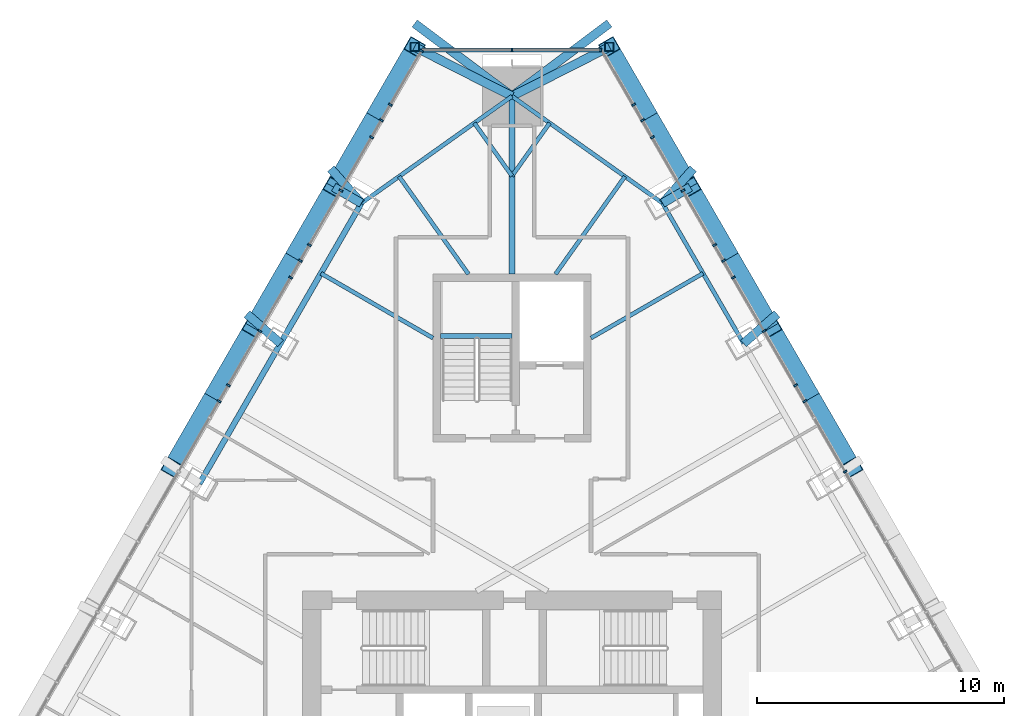
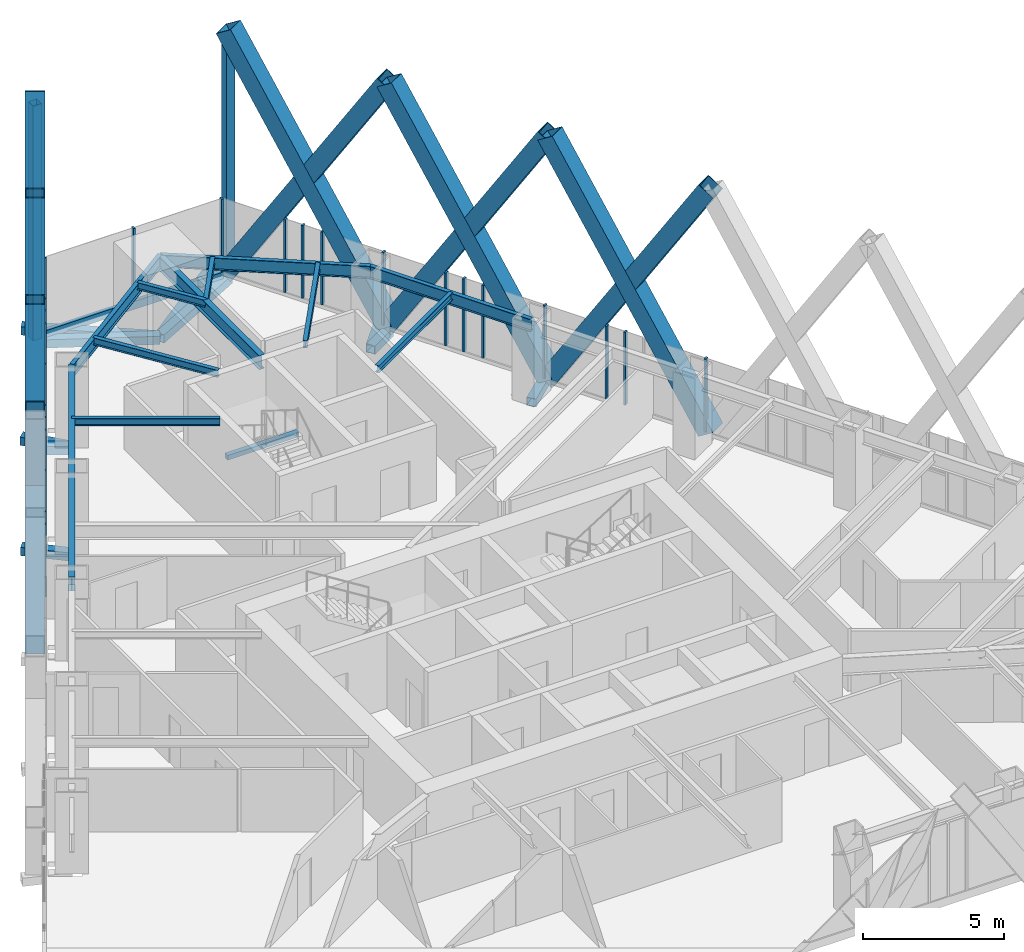
# One storey, part 11 of 25: 49 members, 12 beams, 3 elements without a shape of their own.
"""IFC4 building model written with IfcOpenShell, lengths in metres."""

from ifc_helpers import new_model, si_unit, direction, frame, origin, origin_2d, place, context, subcontext, project, spatial, rectangle, hollow_rectangle, i_section, extrude, material, layer, layer_set, material_profile, profile_set, type_object, element, aggregate, save


model = new_model("IFC4")

# Units and contexts
model_context = context("Model", 3, precision=1e-05, world=origin(), true_north=direction((0.0, 1.0)))
body_context = subcontext(model_context, "Body", "Model", "MODEL_VIEW")
ifc_project = project(units=[si_unit("LENGTHUNIT", "METRE"), si_unit("AREAUNIT", "SQUARE_METRE"), si_unit("VOLUMEUNIT", "CUBIC_METRE"), si_unit("PLANEANGLEUNIT", "RADIAN"), si_unit("MASSUNIT", "GRAM", prefix="KILO")], contexts=[model_context])

# Site, building, storey
site_placement = place(None, origin())
site = spatial("IfcSite", under=ifc_project, at=site_placement, CompositionType="ELEMENT")
building_placement = place(site_placement, origin())
building = spatial("IfcBuilding", under=site, at=building_placement, Name="Firuza Gate Tower and Library", CompositionType="ELEMENT")
storey_placement = place(building_placement, frame((0.0, 0.0, 270.60009765625)))
storey = spatial("IfcBuildingStorey", under=building, at=storey_placement, Name="L64", CompositionType="ELEMENT", Elevation=270.60009765625)

# Members
ifc_material_1 = material(Name="Steel S355", Category="steel")
ifc_material_profile_1 = material_profile(ifc_material_1, hollow_rectangle(XDim=0.699951171875, YDim=0.699951171875, WallThickness=0.030029296875, at=origin_2d()))
ifc_profile_set_1 = profile_set([ifc_material_profile_1], Name="Steel S355")
member_type_1 = type_object("IfcMemberType", Name="BU700x700x30 Lattice brace", PredefinedType="BRACE", material=ifc_profile_set_1)
for number, where, z_axis, x_axis, name in (
    (1, (88.79443359375, 86.754638671875, 0.0), (-0.265084898364, 0.459137453369, 0.847893151036), (-0.86602396135, -0.500002498361, 0.0), "Lattice brace E 16.5R"),
    (2, (85.51171875, 92.4404296875, 0.0), (0.265084898364, -0.459137453369, 0.847893151036), (0.86602396135, 0.500002498361, 0.0), "Lattice brace E 16.5L"),
    (3, (85.51171875, 92.4404296875, 0.0), (-0.265084898364, 0.459137453369, 0.847893151036), (-0.86602396135, -0.500002498361, 0.0), "Lattice brace E 16.6R"),
    (4, (82.22900390625, 98.126220703125, 0.0), (0.265084898364, -0.459137453369, 0.847893151036), (0.86602396135, 0.500002498361, 0.0), "Lattice brace E 16.6L"),
    (5, (82.22900390625, 98.126220703125, 0.0), (-0.265084898364, 0.459137453369, 0.847893151036), (-0.86602396135, -0.500002498361, 0.0), "Lattice brace E 16.7R"),
    (6, (78.9462890625, 103.81201171875, 0.0), (0.265084898364, -0.459137453369, 0.847893151036), (0.86602396135, 0.500002498361, 0.0), "Lattice brace E 16.7L"),
    (7, (71.0537109375, 103.81201171875, 0.0), (-0.265084898364, -0.459137453369, 0.847893151036), (0.86602396135, -0.500002498361, 0.0), "Lattice brace W 16.1R"),
    (8, (67.77099609375, 98.126220703125, 0.0), (0.265084898364, 0.459137453369, 0.847893151036), (-0.86602396135, 0.500002498361, 0.0), "Lattice brace W 16.1L"),
    (9, (67.77099609375, 98.126220703125, 0.0), (-0.265084898364, -0.459137453369, 0.847893151036), (0.86602396135, -0.500002498361, 0.0), "Lattice brace W 16.2R"),
    (10, (64.48828125, 92.4404296875, 0.0), (0.265084898364, 0.459137453369, 0.847893151036), (-0.86602396135, 0.500002498361, 0.0), "Lattice brace W 16.2L"),
    (11, (64.48828125, 92.4404296875, 0.0), (-0.265084898364, -0.459137453369, 0.847893151036), (0.86602396135, -0.500002498361, 0.0), "Lattice brace W 16.3R"),
    (12, (61.20556640625, 86.754638671875, 0.0), (0.265084898364, 0.459137453369, 0.847893151036), (-0.86602396135, 0.500002498361, 0.0), "Lattice brace W 16.3L"),
):
    element("IfcMember", number, at=place(storey_placement, frame(where, z_axis=z_axis, x_axis=x_axis)), inside=storey, type_object=member_type_1, Name=name, PredefinedType="BRACE", context=body_context, shape_type="SweptSolid", body=[
        extrude(hollow_rectangle(XDim=0.699951171875, YDim=0.699951171875, WallThickness=0.030029296875, at=origin_2d()), origin(), (0.0, 0.0, 1.0), 12.383544921875),
    ])

# Curtain wall, members
ifc_material_2 = material(Name="Aluminium 6063-T6", Category="aluminium")
ifc_layer_1 = layer(ifc_material_2, 0.14990234375)
ifc_layer_set_1 = layer_set([ifc_layer_1], Name="Unitised curtain wall, residences")
curtain_wall_type_1 = type_object("IfcCurtainWallType", Name="Unitised curtain wall, residences", PredefinedType="NOTDEFINED", material=ifc_layer_set_1)
placement = place(storey_placement, origin())
curtain_wall_1 = element("IfcCurtainWall", 13, at=placement, inside=storey, type_object=curtain_wall_type_1, Name="CW3 L64 E face", PredefinedType="NOTDEFINED")
ifc_material_3 = material(Name="Aluminium 6063-T6", Category="aluminium")
ifc_material_profile_2 = material_profile(ifc_material_3, rectangle(XDim=0.14990234375, YDim=0.080078125, at=origin_2d()))
ifc_profile_set_2 = profile_set([ifc_material_profile_2], Name="Aluminium 6063-T6")
member_type_2 = type_object("IfcMemberType", Name="Curtain wall mullion 80x150", PredefinedType="MULLION", material=ifc_profile_set_2)
member_1_placement = place(storey_placement, frame((88.509765625, 86.59765625, 0.14990234375), z_axis=(0.0, 0.0, 1.0), x_axis=(-0.866025403784, -0.5, 0.0)))
member_1 = element("IfcMember", 14, at=member_1_placement, type_object=member_type_2, Name="Mullion", PredefinedType="MULLION", context=body_context, shape_type="SweptSolid", body=[
    extrude(rectangle(XDim=0.14990234375, YDim=0.080078125, at=origin_2d()), origin(), (0.0, 0.0, 1.0), 3.14990234375),
])
member_2_placement = place(storey_placement, frame((86.865478515625, 89.44580078125, 0.14990234375), z_axis=(0.0, 0.0, 1.0), x_axis=(-0.866025403784, -0.5, 0.0)))
member_2 = element("IfcMember", 15, at=member_2_placement, type_object=member_type_2, Name="Mullion", PredefinedType="MULLION", context=body_context, shape_type="SweptSolid", body=[
    extrude(rectangle(XDim=0.14990234375, YDim=0.080078125, at=origin_2d()), origin(), (0.0, 0.0, 1.0), 3.14990234375),
])
member_3_placement = place(storey_placement, frame((85.220947265625, 92.2939453125, 0.14990234375), z_axis=(0.0, 0.0, 1.0), x_axis=(-0.866025403784, -0.5, 0.0)))
member_3 = element("IfcMember", 16, at=member_3_placement, type_object=member_type_2, Name="Mullion", PredefinedType="MULLION", context=body_context, shape_type="SweptSolid", body=[
    extrude(rectangle(XDim=0.14990234375, YDim=0.080078125, at=origin_2d()), origin(), (0.0, 0.0, 1.0), 3.14990234375),
])
member_4_placement = place(storey_placement, frame((83.57666015625, 95.142333984375, 0.14990234375), z_axis=(0.0, 0.0, 1.0), x_axis=(-0.866025403784, -0.5, 0.0)))
member_4 = element("IfcMember", 17, at=member_4_placement, type_object=member_type_2, Name="Mullion", PredefinedType="MULLION", context=body_context, shape_type="SweptSolid", body=[
    extrude(rectangle(XDim=0.14990234375, YDim=0.080078125, at=origin_2d()), origin(), (0.0, 0.0, 1.0), 3.14990234375),
])
member_5_placement = place(storey_placement, frame((81.93212890625, 97.990478515625, 0.14990234375), z_axis=(0.0, 0.0, 1.0), x_axis=(-0.866025403784, -0.5, 0.0)))
member_5 = element("IfcMember", 18, at=member_5_placement, type_object=member_type_2, Name="Mullion", PredefinedType="MULLION", context=body_context, shape_type="SweptSolid", body=[
    extrude(rectangle(XDim=0.14990234375, YDim=0.080078125, at=origin_2d()), origin(), (0.0, 0.0, 1.0), 3.14990234375),
])
member_6_placement = place(storey_placement, frame((80.287841796875, 100.838623046875, 0.14990234375), z_axis=(0.0, 0.0, 1.0), x_axis=(-0.866025403784, -0.5, 0.0)))
member_6 = element("IfcMember", 19, at=member_6_placement, type_object=member_type_2, Name="Mullion", PredefinedType="MULLION", context=body_context, shape_type="SweptSolid", body=[
    extrude(rectangle(XDim=0.14990234375, YDim=0.080078125, at=origin_2d()), origin(), (0.0, 0.0, 1.0), 3.14990234375),
])
member_7_placement = place(storey_placement, frame((86.490966796875, 90.094482421875, 0.14990234375), z_axis=(0.0, 0.0, 1.0), x_axis=(-0.866025403784, -0.5, 0.0)))
member_7 = element("IfcMember", 20, at=member_7_placement, type_object=member_type_2, Name="Mullion", PredefinedType="MULLION", context=body_context, shape_type="SweptSolid", body=[
    extrude(rectangle(XDim=0.14990234375, YDim=0.080078125, at=origin_2d()), origin(), (0.0, 0.0, 1.0), 3.14990234375),
])
member_8_placement = place(storey_placement, frame((83.9697265625, 94.46142578125, 0.14990234375), z_axis=(0.0, 0.0, 1.0), x_axis=(-0.866025403784, -0.5, 0.0)))
member_8 = element("IfcMember", 21, at=member_8_placement, type_object=member_type_2, Name="Mullion", PredefinedType="MULLION", context=body_context, shape_type="SweptSolid", body=[
    extrude(rectangle(XDim=0.14990234375, YDim=0.080078125, at=origin_2d()), origin(), (0.0, 0.0, 1.0), 3.14990234375),
])
member_9_placement = place(storey_placement, frame((83.208251953125, 95.7802734375, 0.14990234375), z_axis=(0.0, 0.0, 1.0), x_axis=(-0.866025403784, -0.5, 0.0)))
member_9 = element("IfcMember", 22, at=member_9_placement, type_object=member_type_2, Name="Mullion", PredefinedType="MULLION", context=body_context, shape_type="SweptSolid", body=[
    extrude(rectangle(XDim=0.14990234375, YDim=0.080078125, at=origin_2d()), origin(), (0.0, 0.0, 1.0), 3.14990234375),
])
member_10_placement = place(storey_placement, frame((80.68701171875, 100.147216796875, 0.14990234375), z_axis=(0.0, 0.0, 1.0), x_axis=(-0.866025403784, -0.5, 0.0)))
member_10 = element("IfcMember", 23, at=member_10_placement, type_object=member_type_2, Name="Mullion", PredefinedType="MULLION", context=body_context, shape_type="SweptSolid", body=[
    extrude(rectangle(XDim=0.14990234375, YDim=0.080078125, at=origin_2d()), origin(), (0.0, 0.0, 1.0), 3.14990234375),
])
member_11_placement = place(storey_placement, frame((79.925537109375, 101.466064453125, 0.14990234375), z_axis=(0.0, 0.0, 1.0), x_axis=(-0.866025403784, -0.5, 0.0)))
member_11 = element("IfcMember", 24, at=member_11_placement, type_object=member_type_2, Name="Mullion", PredefinedType="MULLION", context=body_context, shape_type="SweptSolid", body=[
    extrude(rectangle(XDim=0.14990234375, YDim=0.080078125, at=origin_2d()), origin(), (0.0, 0.0, 1.0), 3.14990234375),
])
aggregate(curtain_wall_1, [member_1, member_2, member_3, member_4, member_5, member_6, member_7, member_8, member_9, member_10, member_11])

ifc_material_4 = material(Name="Aluminium 6063-T6", Category="aluminium")
ifc_layer_2 = layer(ifc_material_4, 0.14990234375)
ifc_layer_set_2 = layer_set([ifc_layer_2], Name="Corner curtain wall, chamfers")
curtain_wall_type_2 = type_object("IfcCurtainWallType", Name="Corner curtain wall, chamfers", PredefinedType="NOTDEFINED", material=ifc_layer_set_2)
curtain_wall_2 = element("IfcCurtainWall", 25, at=placement, inside=storey, type_object=curtain_wall_type_2, Name="CW4 L64 N corner", PredefinedType="NOTDEFINED")
member_12_placement = place(storey_placement, frame((78.603271484375, 103.68701171875, 0.14990234375), z_axis=(0.0, 0.0, 1.0), x_axis=(0.0, -1.0, 0.0)))
member_12 = element("IfcMember", 26, at=member_12_placement, type_object=member_type_2, Name="Mullion", PredefinedType="MULLION", context=body_context, shape_type="SweptSolid", body=[
    extrude(rectangle(XDim=0.14990234375, YDim=0.080078125, at=origin_2d()), origin(), (0.0, 0.0, 1.0), 3.14990234375),
])
member_13_placement = place(storey_placement, frame((75.0, 103.68701171875, 0.14990234375), z_axis=(0.0, 0.0, 1.0), x_axis=(0.0, -1.0, 0.0)))
member_13 = element("IfcMember", 27, at=member_13_placement, type_object=member_type_2, Name="Mullion", PredefinedType="MULLION", context=body_context, shape_type="SweptSolid", body=[
    extrude(rectangle(XDim=0.14990234375, YDim=0.080078125, at=origin_2d()), origin(), (0.0, 0.0, 1.0), 3.14990234375),
])

curtain_wall_3 = element("IfcCurtainWall", 28, at=placement, inside=storey, type_object=curtain_wall_type_1, Name="CW3 L64 W face", PredefinedType="NOTDEFINED")
member_14_placement = place(storey_placement, frame((71.336669921875, 103.65234375, 0.14990234375), z_axis=(0.0, 0.0, 1.0), x_axis=(0.866025403784, -0.5, 0.0)))
member_14 = element("IfcMember", 29, at=member_14_placement, type_object=member_type_2, Name="Mullion", PredefinedType="MULLION", context=body_context, shape_type="SweptSolid", body=[
    extrude(rectangle(XDim=0.14990234375, YDim=0.080078125, at=origin_2d()), origin(), (0.0, 0.0, 1.0), 3.14990234375),
])
member_15_placement = place(storey_placement, frame((69.712158203125, 100.838623046875, 0.14990234375), z_axis=(0.0, 0.0, 1.0), x_axis=(0.866025403784, -0.5, 0.0)))
member_15 = element("IfcMember", 30, at=member_15_placement, type_object=member_type_2, Name="Mullion", PredefinedType="MULLION", context=body_context, shape_type="SweptSolid", body=[
    extrude(rectangle(XDim=0.14990234375, YDim=0.080078125, at=origin_2d()), origin(), (0.0, 0.0, 1.0), 3.14990234375),
])
member_16_placement = place(storey_placement, frame((68.06787109375, 97.990478515625, 0.14990234375), z_axis=(0.0, 0.0, 1.0), x_axis=(0.866025403784, -0.5, 0.0)))
member_16 = element("IfcMember", 31, at=member_16_placement, type_object=member_type_2, Name="Mullion", PredefinedType="MULLION", context=body_context, shape_type="SweptSolid", body=[
    extrude(rectangle(XDim=0.14990234375, YDim=0.080078125, at=origin_2d()), origin(), (0.0, 0.0, 1.0), 3.14990234375),
])
member_17_placement = place(storey_placement, frame((66.42333984375, 95.142333984375, 0.14990234375), z_axis=(0.0, 0.0, 1.0), x_axis=(0.866025403784, -0.5, 0.0)))
member_17 = element("IfcMember", 32, at=member_17_placement, type_object=member_type_2, Name="Mullion", PredefinedType="MULLION", context=body_context, shape_type="SweptSolid", body=[
    extrude(rectangle(XDim=0.14990234375, YDim=0.080078125, at=origin_2d()), origin(), (0.0, 0.0, 1.0), 3.14990234375),
])
member_18_placement = place(storey_placement, frame((64.779052734375, 92.2939453125, 0.14990234375), z_axis=(0.0, 0.0, 1.0), x_axis=(0.866025403784, -0.5, 0.0)))
member_18 = element("IfcMember", 33, at=member_18_placement, type_object=member_type_2, Name="Mullion", PredefinedType="MULLION", context=body_context, shape_type="SweptSolid", body=[
    extrude(rectangle(XDim=0.14990234375, YDim=0.080078125, at=origin_2d()), origin(), (0.0, 0.0, 1.0), 3.14990234375),
])
member_19_placement = place(storey_placement, frame((63.134521484375, 89.44580078125, 0.14990234375), z_axis=(0.0, 0.0, 1.0), x_axis=(0.866025403784, -0.5, 0.0)))
member_19 = element("IfcMember", 34, at=member_19_placement, type_object=member_type_2, Name="Mullion", PredefinedType="MULLION", context=body_context, shape_type="SweptSolid", body=[
    extrude(rectangle(XDim=0.14990234375, YDim=0.080078125, at=origin_2d()), origin(), (0.0, 0.0, 1.0), 3.14990234375),
])
member_20_placement = place(storey_placement, frame((70.074462890625, 101.466064453125, 0.14990234375), z_axis=(0.0, 0.0, 1.0), x_axis=(0.866025403784, -0.5, 0.0)))
member_20 = element("IfcMember", 35, at=member_20_placement, type_object=member_type_2, Name="Mullion", PredefinedType="MULLION", context=body_context, shape_type="SweptSolid", body=[
    extrude(rectangle(XDim=0.14990234375, YDim=0.080078125, at=origin_2d()), origin(), (0.0, 0.0, 1.0), 3.14990234375),
])
member_21_placement = place(storey_placement, frame((69.31298828125, 100.147216796875, 0.14990234375), z_axis=(0.0, 0.0, 1.0), x_axis=(0.866025403784, -0.5, 0.0)))
member_21 = element("IfcMember", 36, at=member_21_placement, type_object=member_type_2, Name="Mullion", PredefinedType="MULLION", context=body_context, shape_type="SweptSolid", body=[
    extrude(rectangle(XDim=0.14990234375, YDim=0.080078125, at=origin_2d()), origin(), (0.0, 0.0, 1.0), 3.14990234375),
])
member_22_placement = place(storey_placement, frame((66.791748046875, 95.7802734375, 0.14990234375), z_axis=(0.0, 0.0, 1.0), x_axis=(0.866025403784, -0.5, 0.0)))
member_22 = element("IfcMember", 37, at=member_22_placement, type_object=member_type_2, Name="Mullion", PredefinedType="MULLION", context=body_context, shape_type="SweptSolid", body=[
    extrude(rectangle(XDim=0.14990234375, YDim=0.080078125, at=origin_2d()), origin(), (0.0, 0.0, 1.0), 3.14990234375),
])
member_23_placement = place(storey_placement, frame((66.0302734375, 94.46142578125, 0.14990234375), z_axis=(0.0, 0.0, 1.0), x_axis=(0.866025403784, -0.5, 0.0)))
member_23 = element("IfcMember", 38, at=member_23_placement, type_object=member_type_2, Name="Mullion", PredefinedType="MULLION", context=body_context, shape_type="SweptSolid", body=[
    extrude(rectangle(XDim=0.14990234375, YDim=0.080078125, at=origin_2d()), origin(), (0.0, 0.0, 1.0), 3.14990234375),
])
member_24_placement = place(storey_placement, frame((63.509033203125, 90.094482421875, 0.14990234375), z_axis=(0.0, 0.0, 1.0), x_axis=(0.866025403784, -0.5, 0.0)))
member_24 = element("IfcMember", 39, at=member_24_placement, type_object=member_type_2, Name="Mullion", PredefinedType="MULLION", context=body_context, shape_type="SweptSolid", body=[
    extrude(rectangle(XDim=0.14990234375, YDim=0.080078125, at=origin_2d()), origin(), (0.0, 0.0, 1.0), 3.14990234375),
])
aggregate(curtain_wall_3, [member_14, member_15, member_16, member_17, member_18, member_19, member_20, member_21, member_22, member_23, member_24])

# Member
ifc_material_5 = material(Name="Aluminium 6063-T6", Category="aluminium")
ifc_material_profile_3 = material_profile(ifc_material_5, rectangle(XDim=0.14990234375, YDim=0.35009765625, at=origin_2d()))
ifc_profile_set_3 = profile_set([ifc_material_profile_3], Name="Aluminium 6063-T6")
member_type_3 = type_object("IfcMemberType", Name="Curtain wall transom 350x150", PredefinedType="USERDEFINED", material=ifc_profile_set_3)
member_25_placement = place(storey_placement, frame((78.643310546875, 103.68701171875, -0.025146484375), z_axis=(-1.0, 0.0, 0.0), x_axis=(0.0, -1.0, 0.0)))
member_25 = element("IfcMember", 40, at=member_25_placement, type_object=member_type_3, Name="Transom", ObjectType="TRANSOM", PredefinedType="USERDEFINED", context=body_context, shape_type="SweptSolid", body=[
    extrude(rectangle(XDim=0.14990234375, YDim=0.35009765625, at=origin_2d()), origin(), (0.0, 0.0, 1.0), 7.28662109375),
])

aggregate(curtain_wall_2, [member_12, member_13, member_25])

# Members
ifc_material_6 = material(Name="Steel S355", Category="steel")
ifc_material_profile_4 = material_profile(ifc_material_6, hollow_rectangle(XDim=0.355712890625, YDim=0.355712890625, WallThickness=0.014892578125, at=origin_2d()))
ifc_profile_set_4 = profile_set([ifc_material_profile_4], Name="Steel S355")
member_type_4 = type_object("IfcMemberType", Name="HSS356x356x16 Lattice corner stile", PredefinedType="BRACE", material=ifc_profile_set_4)
for number, where, z_axis, x_axis, name in (
    (41, (78.9462890625, 103.81201171875, -0.14013671875), (0.0, 0.0, 1.0), (1.0, 0.0, 0.0), "Lattice corner stile E 16.B"),
    (42, (71.0537109375, 103.81201171875, -0.14013671875), (0.0, 0.0, 1.0), (1.0, 0.0, 0.0), "Lattice corner stile W 16.A"),
):
    element("IfcMember", number, at=place(storey_placement, frame(where, z_axis=z_axis, x_axis=x_axis)), inside=storey, type_object=member_type_4, Name=name, PredefinedType="BRACE", context=body_context, shape_type="SweptSolid", body=[
        extrude(hollow_rectangle(XDim=0.355712890625, YDim=0.355712890625, WallThickness=0.014892578125, at=origin_2d()), origin(), (0.0, 0.0, 1.0), 10.14013671875),
    ])
ifc_material_7 = material(Name="Steel S355", Category="steel")
ifc_material_profile_5 = material_profile(ifc_material_7, hollow_rectangle(XDim=0.355712890625, YDim=0.355712890625, WallThickness=0.014892578125, at=origin_2d()))
ifc_profile_set_5 = profile_set([ifc_material_profile_5], Name="Steel S355")
member_type_5 = type_object("IfcMemberType", Name="HSS356x356x16 Lattice node tie", PredefinedType="BRACE", material=ifc_profile_set_5)
member_26_placement = place(storey_placement, frame((75.0, 101.81201171875, -0.320068359375), z_axis=(0.801116724826, 0.598508139631, 0.0), x_axis=(-0.598508139631, 0.801116724826, 0.0)))
element("IfcMember", 43, at=member_26_placement, inside=storey, type_object=member_type_5, Name="Lattice node tie E L64 391", PredefinedType="BRACE", context=body_context, shape_type="SweptSolid", body=[
    extrude(hollow_rectangle(XDim=0.355712890625, YDim=0.355712890625, WallThickness=0.014892578125, at=origin_2d()), origin(), (0.0, 0.0, 1.0), 4.926025390625),
])
member_27_placement = place(storey_placement, frame((75.0, 101.81201171875, -0.320068359375), z_axis=(0.891985934506, 0.452063151168, 0.0), x_axis=(-0.452063151168, 0.891985934506, 0.0)))
element("IfcMember", 44, at=member_27_placement, inside=storey, type_object=member_type_5, Name="Lattice node tie E L64 392", PredefinedType="BRACE", context=body_context, shape_type="SweptSolid", body=[
    extrude(hollow_rectangle(XDim=0.355712890625, YDim=0.355712890625, WallThickness=0.014892578125, at=origin_2d()), origin(), (0.0, 0.0, 1.0), 4.424072265625),
])
member_28_placement = place(storey_placement, frame((81.103271484375, 97.47607421875, -0.320068359375), z_axis=(0.665239147922, 0.746630347677, 0.0), x_axis=(-0.746630347677, 0.665239147922, 0.0)))
element("IfcMember", 45, at=member_28_placement, inside=storey, type_object=member_type_5, Name="Lattice node tie E L64 393", PredefinedType="BRACE", context=body_context, shape_type="SweptSolid", body=[
    extrude(hollow_rectangle(XDim=0.355712890625, YDim=0.355712890625, WallThickness=0.014892578125, at=origin_2d()), origin(), (0.0, 0.0, 1.0), 1.86865234375),
])
member_29_placement = place(storey_placement, frame((81.103271484375, 97.47607421875, -0.320068359375), z_axis=(0.86595725628, 0.500118016368, 0.0), x_axis=(-0.500118016368, 0.86595725628, 0.0)))
element("IfcMember", 46, at=member_29_placement, inside=storey, type_object=member_type_5, Name="Lattice node tie E L64 394", PredefinedType="BRACE", context=body_context, shape_type="SweptSolid", body=[
    extrude(hollow_rectangle(XDim=0.355712890625, YDim=0.355712890625, WallThickness=0.014892578125, at=origin_2d()), origin(), (0.0, 0.0, 1.0), 1.300048828125),
])
for number, where, z_axis, x_axis, name in (
    (47, (84.385986328125, 91.79052734375, -0.320068359375), (0.752141708643, 0.659001403732, 0.0), (-0.659001403732, 0.752141708643, 0.0), "Lattice node tie E L64 395"),
    (48, (65.614013671875, 91.79052734375, -0.320068359375), (-0.752141708643, 0.659001403732, 0.0), (-0.659001403732, -0.752141708643, 0.0), "Lattice node tie W L64 422"),
):
    element("IfcMember", number, at=place(storey_placement, frame(where, z_axis=z_axis, x_axis=x_axis)), inside=storey, type_object=member_type_5, Name=name, PredefinedType="BRACE", context=body_context, shape_type="SweptSolid", body=[
        extrude(hollow_rectangle(XDim=0.355712890625, YDim=0.355712890625, WallThickness=0.014892578125, at=origin_2d()), origin(), (0.0, 0.0, 1.0), 1.80859375),
    ])
member_30_placement = place(storey_placement, frame((68.896728515625, 97.47607421875, -0.320068359375), z_axis=(-0.665239147922, 0.746630347677, 0.0), x_axis=(-0.746630347677, -0.665239147922, 0.0)))
element("IfcMember", 49, at=member_30_placement, inside=storey, type_object=member_type_5, Name="Lattice node tie W L64 423", PredefinedType="BRACE", context=body_context, shape_type="SweptSolid", body=[
    extrude(hollow_rectangle(XDim=0.355712890625, YDim=0.355712890625, WallThickness=0.014892578125, at=origin_2d()), origin(), (0.0, 0.0, 1.0), 1.86865234375),
])
member_31_placement = place(storey_placement, frame((68.896728515625, 97.47607421875, -0.320068359375), z_axis=(-0.86595725628, 0.500118016368, 0.0), x_axis=(-0.500118016368, -0.86595725628, 0.0)))
element("IfcMember", 50, at=member_31_placement, inside=storey, type_object=member_type_5, Name="Lattice node tie W L64 424", PredefinedType="BRACE", context=body_context, shape_type="SweptSolid", body=[
    extrude(hollow_rectangle(XDim=0.355712890625, YDim=0.355712890625, WallThickness=0.014892578125, at=origin_2d()), origin(), (0.0, 0.0, 1.0), 1.300048828125),
])
member_32_placement = place(storey_placement, frame((75.0, 101.81201171875, -0.320068359375), z_axis=(-0.801116724826, 0.598508139631, 0.0), x_axis=(-0.598508139631, -0.801116724826, 0.0)))
element("IfcMember", 51, at=member_32_placement, inside=storey, type_object=member_type_5, Name="Lattice node tie W L64 425", PredefinedType="BRACE", context=body_context, shape_type="SweptSolid", body=[
    extrude(hollow_rectangle(XDim=0.355712890625, YDim=0.355712890625, WallThickness=0.014892578125, at=origin_2d()), origin(), (0.0, 0.0, 1.0), 4.926025390625),
])
member_33_placement = place(storey_placement, frame((75.0, 101.81201171875, -0.320068359375), z_axis=(-0.891985934506, 0.452063151168, 0.0), x_axis=(-0.452063151168, -0.891985934506, 0.0)))
element("IfcMember", 52, at=member_33_placement, inside=storey, type_object=member_type_5, Name="Lattice node tie W L64 426", PredefinedType="BRACE", context=body_context, shape_type="SweptSolid", body=[
    extrude(hollow_rectangle(XDim=0.355712890625, YDim=0.355712890625, WallThickness=0.014892578125, at=origin_2d()), origin(), (0.0, 0.0, 1.0), 4.424072265625),
])

# Beams
ifc_material_8 = material(Name="Concrete C35/45", Category="concrete")
ifc_material_profile_6 = material_profile(ifc_material_8, rectangle(XDim=0.199951171875, YDim=0.199951171875, at=origin_2d()))
ifc_profile_set_6 = profile_set([ifc_material_profile_6], Name="Concrete C35/45")
beam_type_1 = type_object("IfcBeamType", Name="Stair landing bearer 200x200", PredefinedType="BEAM", material=ifc_profile_set_6)
beam_1_placement = place(storey_placement, frame((75.0, 92.090087890625, 1.449951171875), z_axis=(-1.0, 0.0, 0.0), x_axis=(0.0, -1.0, 0.0)))
element("IfcBeam", 53, at=beam_1_placement, inside=storey, type_object=beam_type_1, Name="Landing bearer L64 stair 3", PredefinedType="BEAM", context=body_context, shape_type="SweptSolid", body=[
    extrude(rectangle(XDim=0.199951171875, YDim=0.199951171875, at=origin_2d()), origin(), (0.0, 0.0, 1.0), 2.89990234375),
])
ifc_material_9 = material(Name="Steel S355", Category="steel")
ifc_material_profile_7 = material_profile(ifc_material_9, i_section(OverallWidth=0.1650390625, OverallDepth=0.31005859375, WebThickness=0.005859375, FlangeThickness=0.009765625, at=origin_2d()))
ifc_profile_set_7 = profile_set([ifc_material_profile_7], Name="Steel S355")
beam_type_2 = type_object("IfcBeamType", Name="W310x39 Floor beam", PredefinedType="JOIST", material=ifc_profile_set_7)
beam_2_placement = place(storey_placement, frame((82.74462890625, 94.63330078125, 3.14501953125), z_axis=(-0.8660329634, -0.499986906133, 0.0), x_axis=(0.499986906133, -0.8660329634, 0.0)))
element("IfcBeam", 54, at=beam_2_placement, inside=storey, type_object=beam_type_2, Name="Floor beam L64 s54", PredefinedType="JOIST", context=body_context, shape_type="SweptSolid", body=[
    extrude(i_section(OverallWidth=0.1650390625, OverallDepth=0.31005859375, WebThickness=0.005859375, FlangeThickness=0.009765625, at=origin_2d()), origin(), (0.0, 0.0, 1.0), 5.247802734375),
])
beam_3_placement = place(storey_placement, frame((79.577392578125, 98.56005859375, 3.14501953125), z_axis=(-0.579149122088, -0.815221622864, 0.0), x_axis=(0.815221622864, -0.579149122088, 0.0)))
element("IfcBeam", 55, at=beam_3_placement, inside=storey, type_object=beam_type_2, Name="Floor beam L64 s60", PredefinedType="JOIST", context=body_context, shape_type="SweptSolid", body=[
    extrude(i_section(OverallWidth=0.1650390625, OverallDepth=0.31005859375, WebThickness=0.005859375, FlangeThickness=0.009765625, at=origin_2d()), origin(), (0.0, 0.0, 1.0), 4.857421875),
])
for number, where, z_axis, x_axis, name in (
    (56, (76.52587890625, 100.72802734375, 3.14501953125), (-0.579132591432, -0.815233366307, 0.0), (0.815233366307, -0.579132591432, 0.0), "Floor beam L64 s61"),
    (57, (73.47412109375, 100.72802734375, 3.14501953125), (0.579132591432, -0.815233366307, 0.0), (0.815233366307, 0.579132591432, 0.0), "Floor beam L64 s70"),
):
    element("IfcBeam", number, at=place(storey_placement, frame(where, z_axis=z_axis, x_axis=x_axis)), inside=storey, type_object=beam_type_2, Name=name, PredefinedType="JOIST", context=body_context, shape_type="SweptSolid", body=[
        extrude(i_section(OverallWidth=0.1650390625, OverallDepth=0.31005859375, WebThickness=0.005859375, FlangeThickness=0.009765625, at=origin_2d()), origin(), (0.0, 0.0, 1.0), 2.634765625),
    ])
beam_4_placement = place(storey_placement, frame((70.422607421875, 98.56005859375, 3.14501953125), z_axis=(0.579149122088, -0.815221622864, 0.0), x_axis=(0.815221622864, 0.579149122088, 0.0)))
element("IfcBeam", 58, at=beam_4_placement, inside=storey, type_object=beam_type_2, Name="Floor beam L64 s71", PredefinedType="JOIST", context=body_context, shape_type="SweptSolid", body=[
    extrude(i_section(OverallWidth=0.1650390625, OverallDepth=0.31005859375, WebThickness=0.005859375, FlangeThickness=0.009765625, at=origin_2d()), origin(), (0.0, 0.0, 1.0), 4.857421875),
])
beam_5_placement = place(storey_placement, frame((67.25537109375, 94.63330078125, 3.14501953125), z_axis=(0.8660329634, -0.499986906133, 0.0), x_axis=(0.499986906133, 0.8660329634, 0.0)))
element("IfcBeam", 59, at=beam_5_placement, inside=storey, type_object=beam_type_2, Name="Floor beam L64 s80", PredefinedType="JOIST", context=body_context, shape_type="SweptSolid", body=[
    extrude(i_section(OverallWidth=0.1650390625, OverallDepth=0.31005859375, WebThickness=0.005859375, FlangeThickness=0.009765625, at=origin_2d()), origin(), (0.0, 0.0, 1.0), 5.247802734375),
])
ifc_material_10 = material(Name="Steel S355", Category="steel")
ifc_material_profile_8 = material_profile(ifc_material_10, i_section(OverallWidth=0.166015625, OverallDepth=0.534912109375, WebThickness=0.01025390625, FlangeThickness=0.0166015625, at=origin_2d()))
ifc_profile_set_8 = profile_set([ifc_material_profile_8], Name="Steel S355")
beam_type_3 = type_object("IfcBeamType", Name="W530x85 Edge beam", PredefinedType="SPANDREL", material=ifc_profile_set_8)
beam_6_placement = place(storey_placement, frame((84.385986328125, 91.79052734375, 3.032470703125), z_axis=(-0.500018600842, 0.866014664317, 0.0), x_axis=(-0.866014664317, -0.500018600842, 0.0)))
element("IfcBeam", 60, at=beam_6_placement, inside=storey, type_object=beam_type_3, Name="Edge beam L64 e54", PredefinedType="SPANDREL", context=body_context, shape_type="SweptSolid", body=[
    extrude(i_section(OverallWidth=0.166015625, OverallDepth=0.534912109375, WebThickness=0.01025390625, FlangeThickness=0.0166015625, at=origin_2d()), origin(), (0.0, 0.0, 1.0), 6.565185546875),
])
for number, where, z_axis, x_axis, name in (
    (61, (81.103271484375, 97.47607421875, 3.032470703125), (-0.815218088907, 0.579154096523, 0.0), (-0.579154096523, -0.815218088907, 0.0), "Edge beam L64 e60"),
    (62, (75.0, 101.81201171875, 3.032470703125), (-0.815218088907, -0.579154096523, 0.0), (0.579154096523, -0.815218088907, 0.0), "Edge beam L64 e70"),
):
    element("IfcBeam", number, at=place(storey_placement, frame(where, z_axis=z_axis, x_axis=x_axis)), inside=storey, type_object=beam_type_3, Name=name, PredefinedType="SPANDREL", context=body_context, shape_type="SweptSolid", body=[
        extrude(i_section(OverallWidth=0.166015625, OverallDepth=0.534912109375, WebThickness=0.01025390625, FlangeThickness=0.0166015625, at=origin_2d()), origin(), (0.0, 0.0, 1.0), 7.486572265625),
    ])
ifc_material_11 = material(Name="Steel S355", Category="steel")
ifc_material_profile_9 = material_profile(ifc_material_11, i_section(OverallWidth=0.22802734375, OverallDepth=0.60302734375, WebThickness=0.010498046875, FlangeThickness=0.014892578125, at=origin_2d()))
ifc_profile_set_9 = profile_set([ifc_material_profile_9], Name="Steel S355")
beam_type_4 = type_object("IfcBeamType", Name="W610x101 Girder", PredefinedType="BEAM", material=ifc_profile_set_9)
beam_7_placement = place(storey_placement, frame((75.0, 101.81201171875, 2.998291015625), z_axis=(0.0, -1.0, 0.0), x_axis=(1.0, 0.0, 0.0)))
element("IfcBeam", 63, at=beam_7_placement, inside=storey, type_object=beam_type_4, Name="Girder L64 gN", PredefinedType="BEAM", context=body_context, shape_type="SweptSolid", body=[
    extrude(i_section(OverallWidth=0.22802734375, OverallDepth=0.60302734375, WebThickness=0.010498046875, FlangeThickness=0.014892578125, at=origin_2d()), origin(), (0.0, 0.0, 1.0), 7.2119140625),
])
ifc_material_12 = material(Name="Steel S355", Category="steel")
ifc_material_profile_10 = material_profile(ifc_material_12, i_section(OverallWidth=0.22900390625, OverallDepth=0.612060546875, WebThickness=0.011962890625, FlangeThickness=0.01953125, at=origin_2d()))
ifc_profile_set_10 = profile_set([ifc_material_profile_10], Name="Steel S355")
beam_type_5 = type_object("IfcBeamType", Name="W610x125 Edge beam", PredefinedType="SPANDREL", material=ifc_profile_set_10)
beam_8_placement = place(storey_placement, frame((68.896728515625, 97.47607421875, 2.993896484375), z_axis=(-0.499996604533, -0.866027364149, 0.0), x_axis=(0.866027364149, -0.499996604533, 0.0)))
element("IfcBeam", 64, at=beam_8_placement, inside=storey, type_object=beam_type_5, Name="Edge beam L64 e80", PredefinedType="SPANDREL", context=body_context, shape_type="SweptSolid", body=[
    extrude(i_section(OverallWidth=0.22900390625, OverallDepth=0.612060546875, WebThickness=0.011962890625, FlangeThickness=0.01953125, at=origin_2d()), origin(), (0.0, 0.0, 1.0), 13.13037109375),
])

save(model, "model.ifc")
